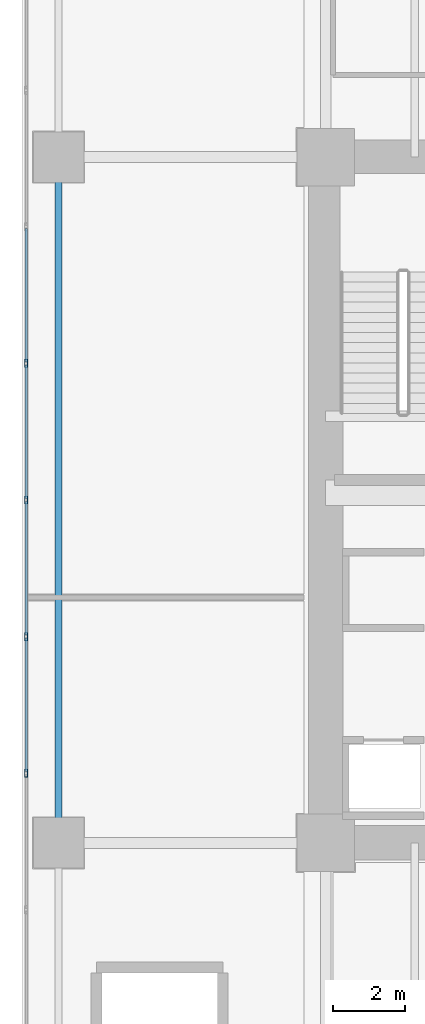
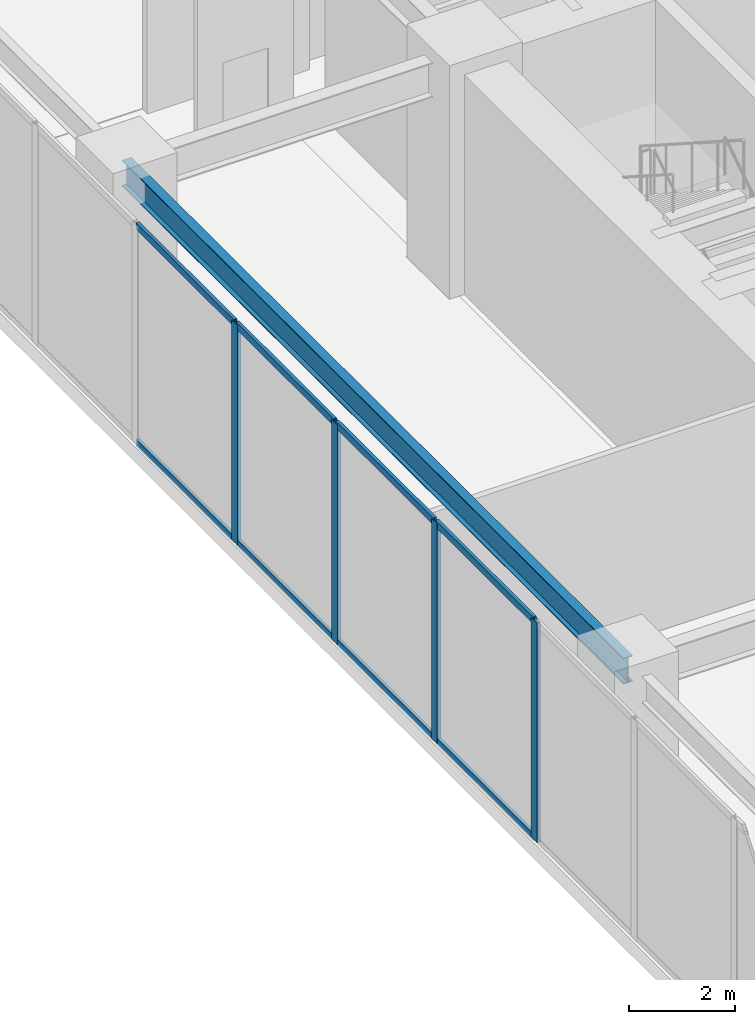
# One storey, part 6 of 35: 12 members, 1 beam, 1 element without a shape of its own.
"""IFC4 building model written with IfcOpenShell, lengths in metres."""

from ifc_helpers import new_model, si_unit, direction, frame, origin, origin_2d, place, context, subcontext, project, spatial, hollow_rectangle, i_section, extrude, source, transform, mapped, material, layer, layer_set, material_profile, profile_set, type_object, type_shapes, element, aggregate, save


model = new_model("IFC4")

# Units and contexts
model_context = context("Model", 3, precision=1e-05, world=origin(), true_north=direction((0.0, 1.0)))
body_context = subcontext(model_context, "Body", "Model", "MODEL_VIEW")
ifc_project = project(units=[si_unit("LENGTHUNIT", "METRE"), si_unit("AREAUNIT", "SQUARE_METRE"), si_unit("VOLUMEUNIT", "CUBIC_METRE"), si_unit("PLANEANGLEUNIT", "RADIAN"), si_unit("MASSUNIT", "GRAM", prefix="KILO")], contexts=[model_context])

# Site, building, storey
site_placement = place(None, origin())
site = spatial("IfcSite", under=ifc_project, at=site_placement, CompositionType="ELEMENT")
building_placement = place(site_placement, origin())
building = spatial("IfcBuilding", under=site, at=building_placement, Name="Haelvirn Gate Laboratories", CompositionType="ELEMENT")
storey_placement = place(building_placement, frame((0.0, 0.0, 19.800048828125)))
storey = spatial("IfcBuildingStorey", under=building, at=storey_placement, Name="L05", CompositionType="ELEMENT", Elevation=19.800048828125)

# Beam
ifc_material_1 = material(Name="Steel SM355", Category="steel")
ifc_material_profile_1 = material_profile(ifc_material_1, i_section(OverallWidth=0.199951171875, OverallDepth=0.60009765625, WebThickness=0.010986328125, FlangeThickness=0.01708984375, at=origin_2d()), Name="H-600x200x11x17")
ifc_profile_set_1 = profile_set([ifc_material_profile_1], Name="Steel SM355")
beam_type = type_object("IfcBeamType", Name="BM-SP-600", PredefinedType="SPANDREL", material=ifc_profile_set_1)
shared_shape_1 = source(origin(), body_context, "Body", "SweptSolid", [
    extrude(i_section(OverallWidth=0.199951171875, OverallDepth=0.60009765625, WebThickness=0.010986328125, FlangeThickness=0.01708984375, at=origin_2d()), origin(), (0.0, 0.0, 1.0), 19.0),
])
type_shapes(beam_type, [shared_shape_1])
beam_placement = place(storey_placement, frame((0.0, 14.800048828125, 4.780029296875), z_axis=(0.0, 1.0, 0.0), x_axis=(-1.0, 0.0, 0.0)))
element("IfcBeam", 1, at=beam_placement, inside=storey, type_object=beam_type, Name="L05 Perimeter Spandrel X0.0 (14.8-33.8)", PredefinedType="SPANDREL", context=body_context, shape_type="MappedRepresentation", body=[
    mapped(shared_shape_1, transform((0.0, 0.0, 0.0), scale=1.0)),
])

# Curtain wall, members
ifc_material_2 = material(Name="Anodised bronze unitised aluminium & triple low-E glass", Category="aluminium")
ifc_layer = layer(ifc_material_2, 0.18798828125, Name="CW-SYS-1")
ifc_layer_set = layer_set([ifc_layer], Name="Anodised bronze unitised aluminium & triple low-E glass")
curtain_wall_type = type_object("IfcCurtainWallType", Name="CW-SYS-1", PredefinedType="NOTDEFINED", material=ifc_layer_set)
curtain_wall_placement = place(storey_placement, origin())
curtain_wall = element("IfcCurtainWall", 2, at=curtain_wall_placement, inside=storey, type_object=curtain_wall_type, Name="L05 Unitised Curtain Wall CW-L05-P0-E09", PredefinedType="NOTDEFINED")
ifc_material_3 = material(Name="Extruded aluminium 6063-T6 (anodised bronze)", Category="aluminium")
ifc_material_profile_2 = material_profile(ifc_material_3, hollow_rectangle(XDim=0.070068359375, YDim=0.159912109375, WallThickness=0.0048828125, at=origin_2d()), Name="CWT-160x70x5")
ifc_profile_set_2 = profile_set([ifc_material_profile_2], Name="Extruded aluminium 6063-T6 (anodised bronze)")
member_type_1 = type_object("IfcMemberType", Name="CWT-T160", PredefinedType="USERDEFINED", material=ifc_profile_set_2)
shared_shape_2 = source(origin(), body_context, "Body", "SweptSolid", [
    extrude(hollow_rectangle(XDim=0.070068359375, YDim=0.159912109375, WallThickness=0.0048828125, at=origin_2d()), origin(), (0.0, 0.0, 1.0), 3.703369140625),
])
member_1_placement = place(storey_placement, frame((-0.89990234375, 31.82666015625, 0.034912109375), z_axis=(0.0, -1.0, 0.0), x_axis=(1.0, 0.0, 0.0)))
member_1 = element("IfcMember", 3, at=member_1_placement, type_object=member_type_1, Name="CW1 transom 5.1", ObjectType="TRANSOM", PredefinedType="USERDEFINED", context=body_context, shape_type="MappedRepresentation", body=[
    mapped(shared_shape_2, transform((0.0, 0.0, 0.0), scale=1.0)),
])
member_2_placement = place(storey_placement, frame((-0.89990234375, 31.82666015625, 5.044921875), z_axis=(0.0, -1.0, 0.0), x_axis=(1.0, 0.0, 0.0)))
member_2 = element("IfcMember", 4, at=member_2_placement, type_object=member_type_1, Name="CW1 transom 5.2", ObjectType="TRANSOM", PredefinedType="USERDEFINED", context=body_context, shape_type="MappedRepresentation", body=[
    mapped(shared_shape_2, transform((0.0, 0.0, 0.0), scale=1.0)),
])
member_3_placement = place(storey_placement, frame((-0.89990234375, 24.260009765625, 0.034912109375), z_axis=(0.0, -1.0, 0.0), x_axis=(1.0, 0.0, 0.0)))
member_3 = element("IfcMember", 5, at=member_3_placement, type_object=member_type_1, Name="CW1 transom 7.1", ObjectType="TRANSOM", PredefinedType="USERDEFINED", context=body_context, shape_type="MappedRepresentation", body=[
    mapped(shared_shape_2, transform((0.0, 0.0, 0.0), scale=1.0)),
])
member_4_placement = place(storey_placement, frame((-0.89990234375, 24.260009765625, 5.044921875), z_axis=(0.0, -1.0, 0.0), x_axis=(1.0, 0.0, 0.0)))
member_4 = element("IfcMember", 6, at=member_4_placement, type_object=member_type_1, Name="CW1 transom 7.2", ObjectType="TRANSOM", PredefinedType="USERDEFINED", context=body_context, shape_type="MappedRepresentation", body=[
    mapped(shared_shape_2, transform((0.0, 0.0, 0.0), scale=1.0)),
])
shared_shape_3 = source(origin(), body_context, "Body", "SweptSolid", [
    extrude(hollow_rectangle(XDim=0.070068359375, YDim=0.159912109375, WallThickness=0.0048828125, at=origin_2d()), origin(), (0.0, 0.0, 1.0), 3.703125),
])
type_shapes(member_type_1, [shared_shape_2, shared_shape_3])
member_5_placement = place(storey_placement, frame((-0.89990234375, 28.043212890625, 0.034912109375), z_axis=(0.0, -1.0, 0.0), x_axis=(1.0, 0.0, 0.0)))
member_5 = element("IfcMember", 7, at=member_5_placement, type_object=member_type_1, Name="CW1 transom 6.1", ObjectType="TRANSOM", PredefinedType="USERDEFINED", context=body_context, shape_type="MappedRepresentation", body=[
    mapped(shared_shape_3, transform((0.0, 0.0, 0.0), scale=1.0)),
])
member_6_placement = place(storey_placement, frame((-0.89990234375, 28.043212890625, 5.044921875), z_axis=(0.0, -1.0, 0.0), x_axis=(1.0, 0.0, 0.0)))
member_6 = element("IfcMember", 8, at=member_6_placement, type_object=member_type_1, Name="CW1 transom 6.2", ObjectType="TRANSOM", PredefinedType="USERDEFINED", context=body_context, shape_type="MappedRepresentation", body=[
    mapped(shared_shape_3, transform((0.0, 0.0, 0.0), scale=1.0)),
])
member_7_placement = place(storey_placement, frame((-0.89990234375, 20.4765625, 0.034912109375), z_axis=(0.0, -1.0, 0.0), x_axis=(1.0, 0.0, 0.0)))
member_7 = element("IfcMember", 9, at=member_7_placement, type_object=member_type_1, Name="CW1 transom 8.1", ObjectType="TRANSOM", PredefinedType="USERDEFINED", context=body_context, shape_type="MappedRepresentation", body=[
    mapped(shared_shape_3, transform((0.0, 0.0, 0.0), scale=1.0)),
])
member_8_placement = place(storey_placement, frame((-0.89990234375, 20.4765625, 5.044921875), z_axis=(0.0, -1.0, 0.0), x_axis=(1.0, 0.0, 0.0)))
member_8 = element("IfcMember", 10, at=member_8_placement, type_object=member_type_1, Name="CW1 transom 8.2", ObjectType="TRANSOM", PredefinedType="USERDEFINED", context=body_context, shape_type="MappedRepresentation", body=[
    mapped(shared_shape_3, transform((0.0, 0.0, 0.0), scale=1.0)),
])
ifc_material_profile_3 = material_profile(ifc_material_3, hollow_rectangle(XDim=0.080078125, YDim=0.219970703125, WallThickness=0.006103515625, at=origin_2d()), Name="CWM-220x80x6")
ifc_profile_set_3 = profile_set([ifc_material_profile_3], Name="Extruded aluminium 6063-T6 (anodised bronze)")
member_type_2 = type_object("IfcMemberType", Name="CWM-T220", PredefinedType="MULLION", material=ifc_profile_set_3)
shared_shape_4 = source(origin(), body_context, "Body", "SweptSolid", [
    extrude(hollow_rectangle(XDim=0.080078125, YDim=0.219970703125, WallThickness=0.006103515625, at=origin_2d()), origin(), (0.0, 0.0, 1.0), 5.079833984375),
])
type_shapes(member_type_2, [shared_shape_4])
member_9_placement = place(storey_placement, frame((-0.89990234375, 28.083251953125, 0.0), z_axis=(0.0, 0.0, 1.0), x_axis=(1.0, 0.0, 0.0)))
member_9 = element("IfcMember", 11, at=member_9_placement, type_object=member_type_2, Name="CW1 mullion 6", PredefinedType="MULLION", context=body_context, shape_type="MappedRepresentation", body=[
    mapped(shared_shape_4, transform((0.0, 0.0, 0.0), scale=1.0)),
])
member_10_placement = place(storey_placement, frame((-0.89990234375, 24.300048828125, 0.0), z_axis=(0.0, 0.0, 1.0), x_axis=(1.0, 0.0, 0.0)))
member_10 = element("IfcMember", 12, at=member_10_placement, type_object=member_type_2, Name="CW1 mullion 7", PredefinedType="MULLION", context=body_context, shape_type="MappedRepresentation", body=[
    mapped(shared_shape_4, transform((0.0, 0.0, 0.0), scale=1.0)),
])
member_11_placement = place(storey_placement, frame((-0.89990234375, 20.5166015625, 0.0), z_axis=(0.0, 0.0, 1.0), x_axis=(1.0, 0.0, 0.0)))
member_11 = element("IfcMember", 13, at=member_11_placement, type_object=member_type_2, Name="CW1 mullion 8", PredefinedType="MULLION", context=body_context, shape_type="MappedRepresentation", body=[
    mapped(shared_shape_4, transform((0.0, 0.0, 0.0), scale=1.0)),
])
member_12_placement = place(storey_placement, frame((-0.89990234375, 16.7333984375, 0.0), z_axis=(0.0, 0.0, 1.0), x_axis=(1.0, 0.0, 0.0)))
member_12 = element("IfcMember", 14, at=member_12_placement, type_object=member_type_2, Name="CW1 mullion 9", PredefinedType="MULLION", context=body_context, shape_type="MappedRepresentation", body=[
    mapped(shared_shape_4, transform((0.0, 0.0, 0.0), scale=1.0)),
])
aggregate(curtain_wall, [member_9, member_10, member_11, member_12, member_1, member_2, member_5, member_6, member_3, member_4, member_7, member_8])

save(model, "model.ifc")
